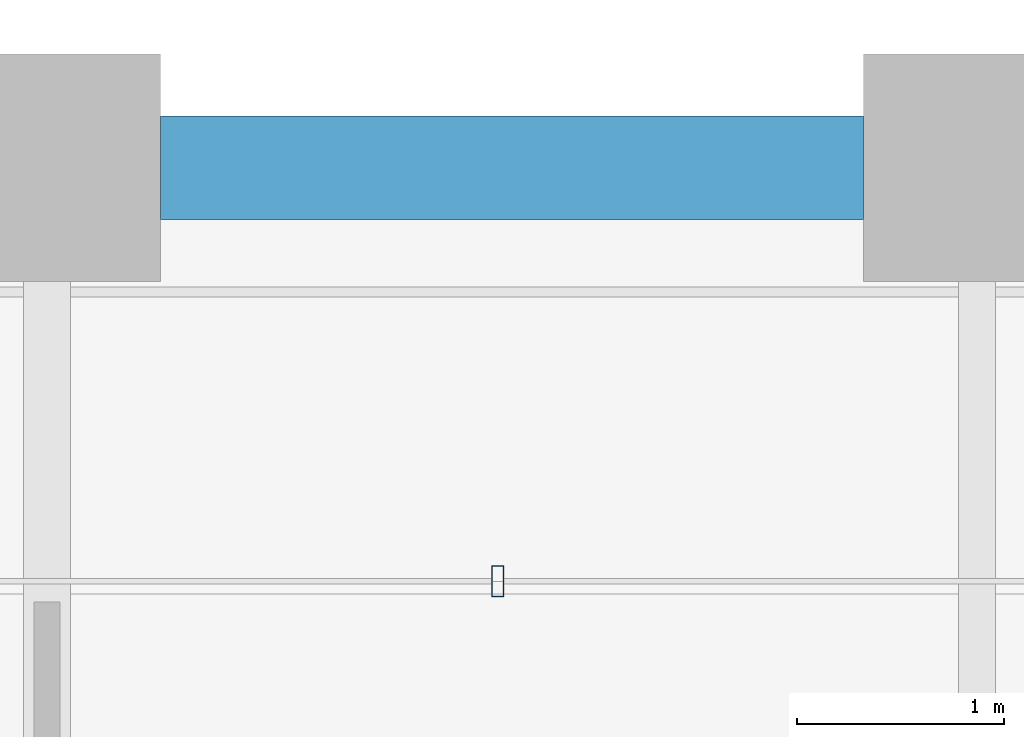
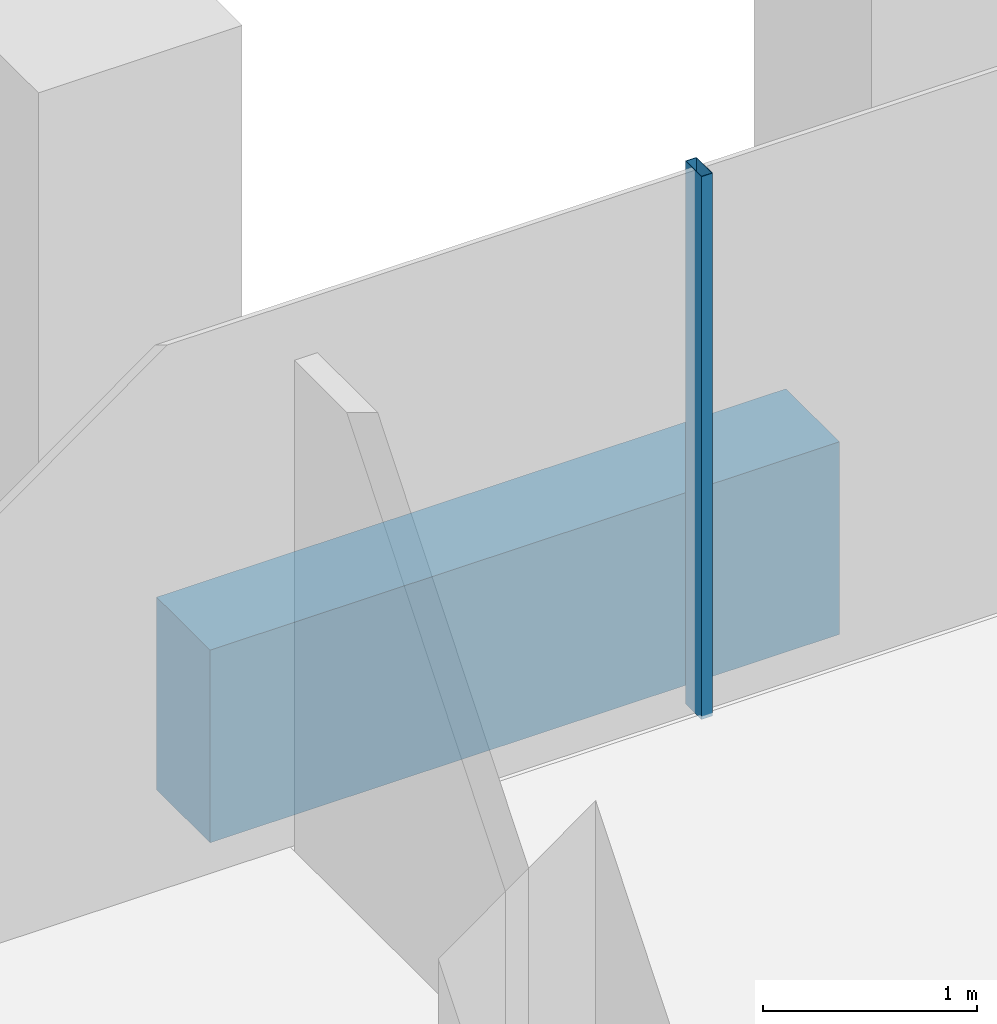
# One storey, part 42 of 56: 1 beam, 1 member, 1 element without a shape of its own.
"""IFC4 building model written with IfcOpenShell, lengths in metres."""

from ifc_helpers import new_model, si_unit, direction, frame, origin, origin_2d, place, context, subcontext, project, spatial, rectangle, hollow_rectangle, extrude, material, material_profile, profile_set, type_object, element, aggregate, save


model = new_model("IFC4")

# Units and contexts
model_context = context("Model", 3, precision=1e-05, world=origin(), true_north=direction((0.0, 1.0)))
body_context = subcontext(model_context, "Body", "Model", "MODEL_VIEW")
ifc_project = project(units=[si_unit("LENGTHUNIT", "METRE"), si_unit("AREAUNIT", "SQUARE_METRE"), si_unit("VOLUMEUNIT", "CUBIC_METRE"), si_unit("PLANEANGLEUNIT", "RADIAN"), si_unit("MASSUNIT", "GRAM", prefix="KILO")], contexts=[model_context])

# Site, building, storey
site_placement = place(None, origin())
site = spatial("IfcSite", under=ifc_project, at=site_placement, CompositionType="ELEMENT")
building_placement = place(site_placement, origin())
building = spatial("IfcBuilding", under=site, at=building_placement, Name="Altepetl Exchange Towers", CompositionType="ELEMENT")
storey_placement = place(building_placement, frame((0.0, 0.0, 51.0)))
storey = spatial("IfcBuildingStorey", under=building, at=storey_placement, Name="L11", CompositionType="ELEMENT", Elevation=51.0)

# Curtain wall, member
ifc_material_1 = material(Name="Aluminium 6063-T6 glazing", Category="aluminium")
curtain_wall_type = type_object("IfcCurtainWallType", Name="Loggia glazing system", PredefinedType="NOTDEFINED", material=ifc_material_1)
curtain_wall_placement = place(storey_placement, origin())
curtain_wall = element("IfcCurtainWall", 1, at=curtain_wall_placement, inside=storey, type_object=curtain_wall_type, Name="CW1 run", PredefinedType="NOTDEFINED")
ifc_material_2 = material(Name="Aluminium 6063-T6", Category="aluminium")
ifc_material_profile_1 = material_profile(ifc_material_2, hollow_rectangle(XDim=0.06005859375, YDim=0.14990234375, WallThickness=0.0029296875, at=origin_2d()), Name="Mullion 60x150 aluminium")
ifc_profile_set_1 = profile_set([ifc_material_profile_1], Name="Aluminium 6063-T6")
member_type = type_object("IfcMemberType", Name="Mullion 60x150 aluminium", PredefinedType="MULLION", material=ifc_profile_set_1)
member_placement = place(storey_placement, frame((105.68115234375, 56.5, 0.0), z_axis=(0.0, 0.0, 1.0), x_axis=(-1.0, 0.0, 0.0)))
member = element("IfcMember", 2, at=member_placement, type_object=member_type, Name="MU1 mullion", PredefinedType="MULLION", context=body_context, shape_type="SweptSolid", body=[
    extrude(hollow_rectangle(XDim=0.06005859375, YDim=0.14990234375, WallThickness=0.0029296875, at=origin_2d()), origin(), (0.0, 0.0, 1.0), 3.10009765625),
])
aggregate(curtain_wall, [member])

# Beam
ifc_material_3 = material(Name="Concrete C50/60 precast with cantera amarilla facing", Category="concrete")
ifc_material_profile_2 = material_profile(ifc_material_3, rectangle(XDim=0.5, YDim=1.10009765625, at=origin_2d()), Name="500 x 1100")
ifc_profile_set_2 = profile_set([ifc_material_profile_2], Name="Concrete C50/60 precast with cantera amarilla facing")
beam_type = type_object("IfcBeamType", Name="Spandrel beam 500x1100 cantera amarilla", PredefinedType="SPANDREL", material=ifc_profile_set_2)
beam_placement = place(storey_placement, frame((107.449951171875, 58.5, -0.699951171875), z_axis=(-1.0, 0.0, 0.0), x_axis=(0.0, -1.0, 0.0)))
element("IfcBeam", 3, at=beam_placement, inside=storey, type_object=beam_type, Name="sp:B:L11:021", PredefinedType="SPANDREL", context=body_context, shape_type="SweptSolid", body=[
    extrude(rectangle(XDim=0.5, YDim=1.10009765625, at=origin_2d()), origin(), (0.0, 0.0, 1.0), 3.39990234375),
])

save(model, "model.ifc")
